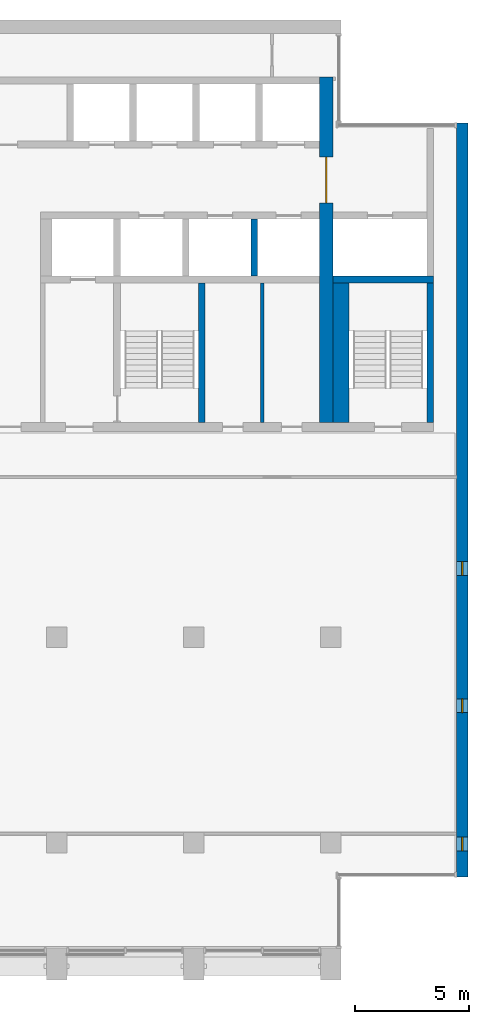
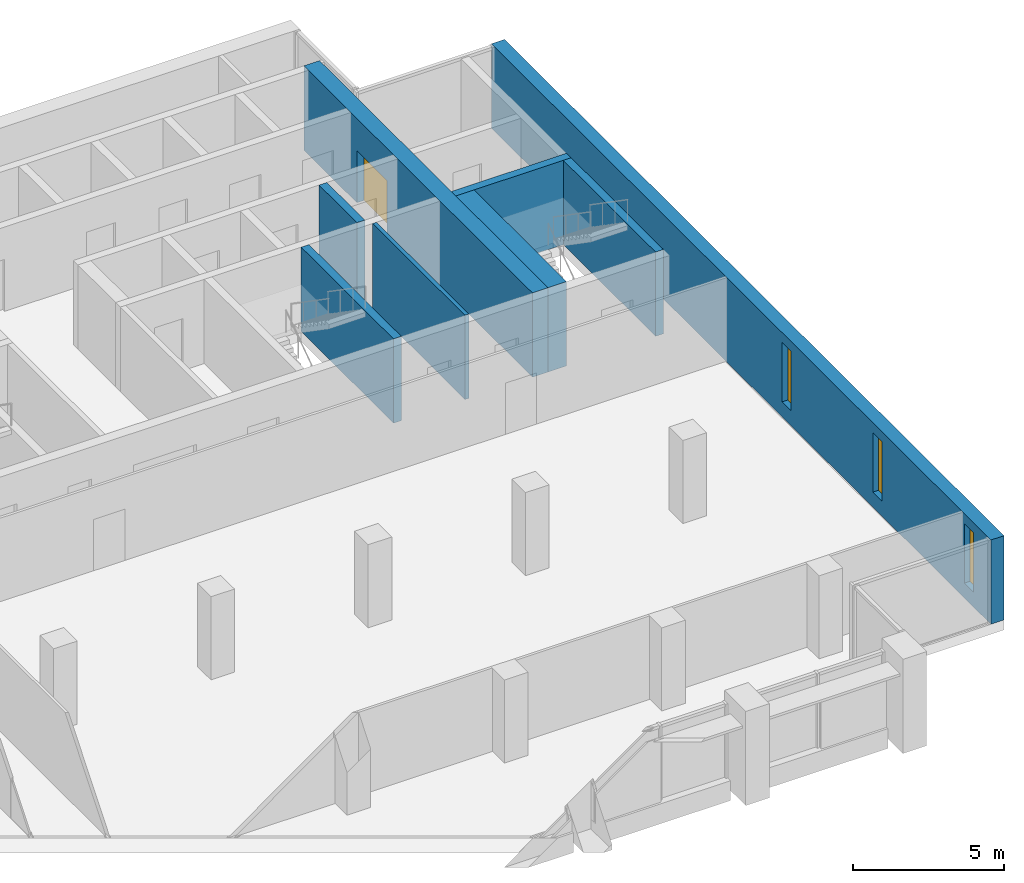
# One storey, part 9 of 14: 8 walls, 3 windows, 1 door, 4 openings.
"""IFC4 building model written with IfcOpenShell, lengths in metres."""

from ifc_helpers import new_model, si_unit, direction, frame, frame_2d, origin, place, context, subcontext, project, spatial, rectangle, extrude, material, layer, layer_set, type_object, element, fill, save


model = new_model("IFC4")

# Units and contexts
model_context = context("Model", 3, precision=1e-05, world=origin(), true_north=direction((0.0, 1.0)))
body_context = subcontext(model_context, "Body", "Model", "MODEL_VIEW")
ifc_project = project(units=[si_unit("LENGTHUNIT", "METRE"), si_unit("AREAUNIT", "SQUARE_METRE"), si_unit("VOLUMEUNIT", "CUBIC_METRE"), si_unit("PLANEANGLEUNIT", "RADIAN"), si_unit("MASSUNIT", "GRAM", prefix="KILO")], contexts=[model_context])

# Site, building, storey
site_placement = place(None, origin())
site = spatial("IfcSite", under=ifc_project, at=site_placement, CompositionType="ELEMENT")
building_placement = place(site_placement, origin())
building = spatial("IfcBuilding", under=site, at=building_placement, Name="Calvaro Tower", CompositionType="ELEMENT")
storey_placement = place(building_placement, frame((0.0, 0.0, 239.35009765625)))
storey = spatial("IfcBuildingStorey", under=building, at=storey_placement, Name="L60", CompositionType="ELEMENT", Elevation=239.35009765625)

# Walls
ifc_material_1 = material(Name="Blockwork partition", Category="masonry")
ifc_layer_1 = layer(ifc_material_1, 0.14990234375)
ifc_layer_set_1 = layer_set([ifc_layer_1], Name="Blockwork partition")
wall_type_1 = type_object("IfcWallType", Name="Core partition 150 EI 60", PredefinedType="PARTITIONING", material=ifc_layer_set_1)
wall_1_placement = place(storey_placement, frame((57.0, 28.39990234375, 0.0), z_axis=(0.0, 0.0, 1.0), x_axis=(0.0, 1.0, 0.0)))
element("IfcWall", 1, at=wall_1_placement, inside=storey, type_object=wall_type_1, Name="Core partition", PredefinedType="PARTITIONING", context=body_context, shape_type="SweptSolid", body=[
    extrude(rectangle(XDim=6.10009765625, YDim=0.14990234375, at=frame_2d((3.050048828125, 0.0))), origin(), (0.0, 0.0, 1.0), 3.39990234375),
])
ifc_material_2 = material(Name="Concrete C40/50", Category="concrete")
ifc_layer_2 = layer(ifc_material_2, 0.300048828125)
ifc_layer_set_2 = layer_set([ifc_layer_2], Name="Concrete C40/50")
wall_type_2 = type_object("IfcWallType", Name="Core wall C40/50 300", PredefinedType="SHEAR", material=ifc_layer_set_2)
for number, where, z_axis, x_axis, name in (
    (2, (54.35009765625, 28.39990234375, 0.0), (0.0, 0.0, 1.0), (0.0, 1.0, 0.0), "Core wall, stair enclosure"),
    (3, (64.35009765625, 28.39990234375, 0.0), (0.0, 0.0, 1.0), (0.0, 1.0, 0.0), "Core wall, stair enclosure"),
):
    element("IfcWall", number, at=place(storey_placement, frame(where, z_axis=z_axis, x_axis=x_axis)), inside=storey, type_object=wall_type_2, Name=name, PredefinedType="SHEAR", context=body_context, shape_type="SweptSolid", body=[
        extrude(rectangle(XDim=6.10009765625, YDim=0.300048828125, at=frame_2d((3.050048828125, 0.0))), origin(), (0.0, 0.0, 1.0), 3.39990234375),
    ])
wall_2_placement = place(storey_placement, frame((60.10009765625, 34.64990234375, 0.0), z_axis=(0.0, 0.0, 1.0), x_axis=(1.0, 0.0, 0.0)))
element("IfcWall", 4, at=wall_2_placement, inside=storey, type_object=wall_type_2, Name="Core wall, lift shaft", PredefinedType="SHEAR", context=body_context, shape_type="SweptSolid", body=[
    extrude(rectangle(XDim=4.39990234375, YDim=0.300048828125, at=frame_2d((2.199951171875, 0.0))), origin(), (0.0, 0.0, 1.0), 3.39990234375),
])
wall_3_placement = place(storey_placement, frame((56.64990234375, 34.800048828125, 0.0), z_axis=(0.0, 0.0, 1.0), x_axis=(0.0, 1.0, 0.0)))
element("IfcWall", 5, at=wall_3_placement, inside=storey, type_object=wall_type_2, Name="Core wall, lift shaft", PredefinedType="SHEAR", context=body_context, shape_type="SweptSolid", body=[
    extrude(rectangle(XDim=2.5, YDim=0.300048828125, at=frame_2d((1.25, 0.0))), origin(), (0.0, 0.0, 1.0), 3.39990234375),
])

# Wall, opening, door
ifc_material_3 = material(Name="Concrete C40/50", Category="concrete")
ifc_layer_3 = layer(ifc_material_3, 0.60009765625)
ifc_layer_set_3 = layer_set([ifc_layer_3], Name="Concrete C40/50")
wall_type_3 = type_object("IfcWallType", Name="Core wall C40/50 600", PredefinedType="SHEAR", material=ifc_layer_set_3)
wall_4_placement = place(storey_placement, frame((59.800048828125, 28.39990234375, 0.0), z_axis=(0.0, 0.0, 1.0), x_axis=(0.0, 1.0, 0.0)))
wall_4 = element("IfcWall", 6, at=wall_4_placement, inside=storey, type_object=wall_type_3, Name="Core wall, cross shear wall", PredefinedType="SHEAR", context=body_context, shape_type="SweptSolid", body=[
    extrude(rectangle(XDim=15.10009765625, YDim=0.60009765625, at=frame_2d((7.550048828125, 0.0))), origin(), (0.0, 0.0, 1.0), 3.39990234375),
])
opening_1_placement = place(wall_4_placement, frame((9.60009765625, 0.0, 0.0)))
opening_1 = element("IfcOpeningElement", 7, at=opening_1_placement, cuts=wall_4, Name="Opening DD20D", PredefinedType="OPENING", context=body_context, shape_type="SweptSolid", body=[
    extrude(rectangle(XDim=2.0, YDim=2.10009765625, at=frame_2d((1.0, 1.050048828125))), frame((0.0, 0.31005859375, 0.0), z_axis=(0.0, -1.0, 0.0), x_axis=(1.0, 0.0, 0.0)), (0.0, 0.0, 1.0), 0.6201171875),
])
ifc_material_4 = material(Name="Steel door set", Category="steel")
door_type = type_object("IfcDoorType", Name="Lobby double door 2000 FD30S", OperationType="DOUBLE_DOOR_SINGLE_SWING", PredefinedType="DOOR", material=ifc_material_4)
door_placement = place(opening_1_placement, origin())
door = element("IfcDoor", 8, at=door_placement, inside=storey, type_object=door_type, Name="Lobby double door", OperationType="DOUBLE_DOOR_SINGLE_SWING", OverallHeight=2.10009765625, OverallWidth=2.0, PredefinedType="DOOR", context=body_context, shape_type="SweptSolid", body=[
    extrude(rectangle(XDim=2.0, YDim=2.10009765625, at=frame_2d((1.0, 1.050048828125))), frame((0.0, 0.02490234375, 0.0), z_axis=(0.0, -1.0, 0.0), x_axis=(1.0, 0.0, 0.0)), (0.0, 0.0, 1.0), 0.050048828125),
])
fill(opening_1, door)

# Wall
ifc_material_5 = material(Name="Concrete C40/50", Category="concrete")
ifc_layer_4 = layer(ifc_material_5, 0.699951171875)
ifc_layer_set_4 = layer_set([ifc_layer_4], Name="Concrete C40/50")
wall_type_4 = type_object("IfcWallType", Name="Core wall C40/50 700", PredefinedType="SHEAR", material=ifc_layer_set_4)
wall_5_placement = place(storey_placement, frame((60.449951171875, 28.39990234375, 0.0), z_axis=(0.0, 0.0, 1.0), x_axis=(0.0, 1.0, 0.0)))
element("IfcWall", 9, at=wall_5_placement, inside=storey, type_object=wall_type_4, Name="Core wall, stair enclosure", PredefinedType="SHEAR", context=body_context, shape_type="SweptSolid", body=[
    extrude(rectangle(XDim=6.10009765625, YDim=0.699951171875, at=frame_2d((3.050048828125, 0.0))), origin(), (0.0, 0.0, 1.0), 3.39990234375),
])

# Wall, openings, windows
ifc_material_6 = material(Name="Concrete C40/50", Category="concrete")
ifc_layer_5 = layer(ifc_material_6, 0.5)
ifc_layer_set_5 = layer_set([ifc_layer_5], Name="Concrete C40/50")
wall_type_5 = type_object("IfcWallType", Name="End wall 500 C40/50", PredefinedType="SHEAR", material=ifc_layer_set_5)
wall_6_placement = place(storey_placement, frame((65.75, 8.5, 0.0), z_axis=(0.0, 0.0, 1.0), x_axis=(0.0, 1.0, 0.0)))
wall_6 = element("IfcWall", 10, at=wall_6_placement, inside=storey, type_object=wall_type_5, Name="End shear wall", PredefinedType="SHEAR", context=body_context, shape_type="SweptSolid", body=[
    extrude(rectangle(XDim=33.0, YDim=0.5, at=frame_2d((16.5, 0.0))), origin(), (0.0, 0.0, 1.0), 3.39990234375),
])
opening_2_placement = place(wall_6_placement, frame((1.14990234375, 0.0, 0.60009765625)))
opening_2 = element("IfcOpeningElement", 11, at=opening_2_placement, cuts=wall_6, Name="Opening WE01", PredefinedType="OPENING", context=body_context, shape_type="SweptSolid", body=[
    extrude(rectangle(XDim=0.60009765625, YDim=2.39990234375, at=frame_2d((0.300048828125, 1.199951171875))), frame((0.0, 0.260009765625, 0.0), z_axis=(0.0, -1.0, 0.0), x_axis=(1.0, 0.0, 0.0)), (0.0, 0.0, 1.0), 0.52001953125),
])
opening_3_placement = place(wall_6_placement, frame((7.199951171875, 0.0, 0.60009765625)))
opening_3 = element("IfcOpeningElement", 12, at=opening_3_placement, cuts=wall_6, Name="Opening WE02", PredefinedType="OPENING", context=body_context, shape_type="SweptSolid", body=[
    extrude(rectangle(XDim=0.60009765625, YDim=2.39990234375, at=frame_2d((0.300048828125, 1.199951171875))), frame((0.0, 0.260009765625, 0.0), z_axis=(0.0, -1.0, 0.0), x_axis=(1.0, 0.0, 0.0)), (0.0, 0.0, 1.0), 0.52001953125),
])
opening_4_placement = place(wall_6_placement, frame((13.199951171875, 0.0, 0.60009765625)))
opening_4 = element("IfcOpeningElement", 13, at=opening_4_placement, cuts=wall_6, Name="Opening WE03", PredefinedType="OPENING", context=body_context, shape_type="SweptSolid", body=[
    extrude(rectangle(XDim=0.60009765625, YDim=2.39990234375, at=frame_2d((0.300048828125, 1.199951171875))), frame((0.0, 0.260009765625, 0.0), z_axis=(0.0, -1.0, 0.0), x_axis=(1.0, 0.0, 0.0)), (0.0, 0.0, 1.0), 0.52001953125),
])
ifc_material_7 = material(Name="Glass", Category="glass")
window_type = type_object("IfcWindowType", Name="Slit window 600 x 2400", PartitioningType="SINGLE_PANEL", PredefinedType="WINDOW", material=ifc_material_7)
window_1_placement = place(opening_2_placement, origin())
window_1 = element("IfcWindow", 14, at=window_1_placement, inside=storey, type_object=window_type, Name="Window WE01", OverallHeight=2.39990234375, OverallWidth=0.60009765625, PartitioningType="SINGLE_PANEL", PredefinedType="WINDOW", context=body_context, shape_type="SweptSolid", body=[
    extrude(rectangle(XDim=0.60009765625, YDim=2.39990234375, at=frame_2d((0.300048828125, 1.199951171875))), frame((0.0, 0.030029296875, 0.0), z_axis=(0.0, -1.0, 0.0), x_axis=(1.0, 0.0, 0.0)), (0.0, 0.0, 1.0), 0.06005859375),
])
fill(opening_2, window_1)
window_2_placement = place(opening_3_placement, origin())
window_2 = element("IfcWindow", 15, at=window_2_placement, inside=storey, type_object=window_type, Name="Window WE02", OverallHeight=2.39990234375, OverallWidth=0.60009765625, PartitioningType="SINGLE_PANEL", PredefinedType="WINDOW", context=body_context, shape_type="SweptSolid", body=[
    extrude(rectangle(XDim=0.60009765625, YDim=2.39990234375, at=frame_2d((0.300048828125, 1.199951171875))), frame((0.0, 0.030029296875, 0.0), z_axis=(0.0, -1.0, 0.0), x_axis=(1.0, 0.0, 0.0)), (0.0, 0.0, 1.0), 0.06005859375),
])
fill(opening_3, window_2)
window_3_placement = place(opening_4_placement, origin())
window_3 = element("IfcWindow", 16, at=window_3_placement, inside=storey, type_object=window_type, Name="Window WE03", OverallHeight=2.39990234375, OverallWidth=0.60009765625, PartitioningType="SINGLE_PANEL", PredefinedType="WINDOW", context=body_context, shape_type="SweptSolid", body=[
    extrude(rectangle(XDim=0.60009765625, YDim=2.39990234375, at=frame_2d((0.300048828125, 1.199951171875))), frame((0.0, 0.030029296875, 0.0), z_axis=(0.0, -1.0, 0.0), x_axis=(1.0, 0.0, 0.0)), (0.0, 0.0, 1.0), 0.06005859375),
])
fill(opening_4, window_3)

save(model, "model.ifc")
